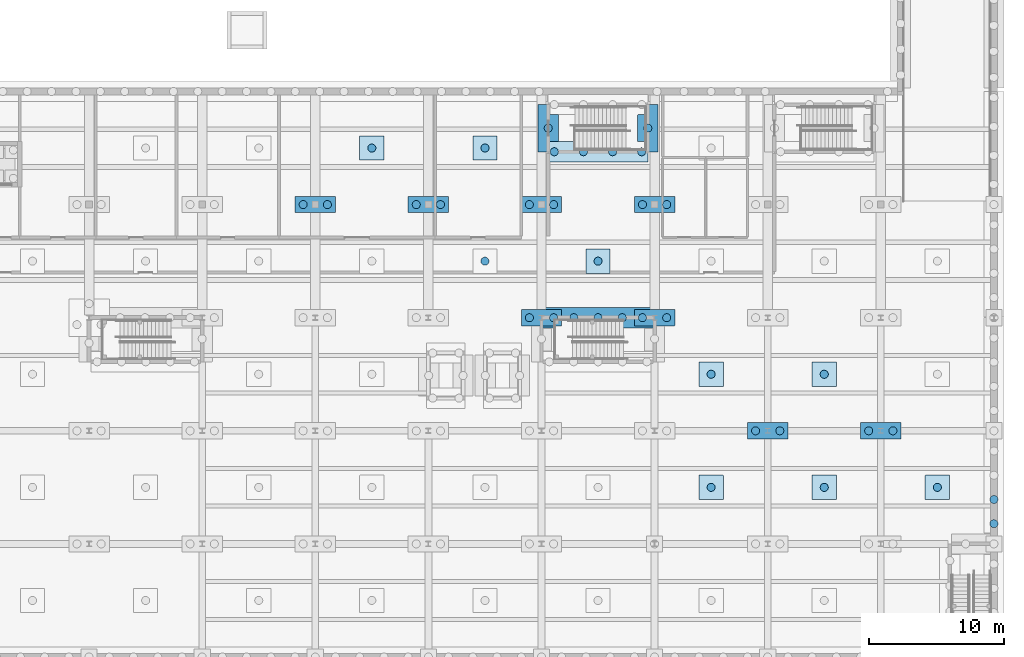
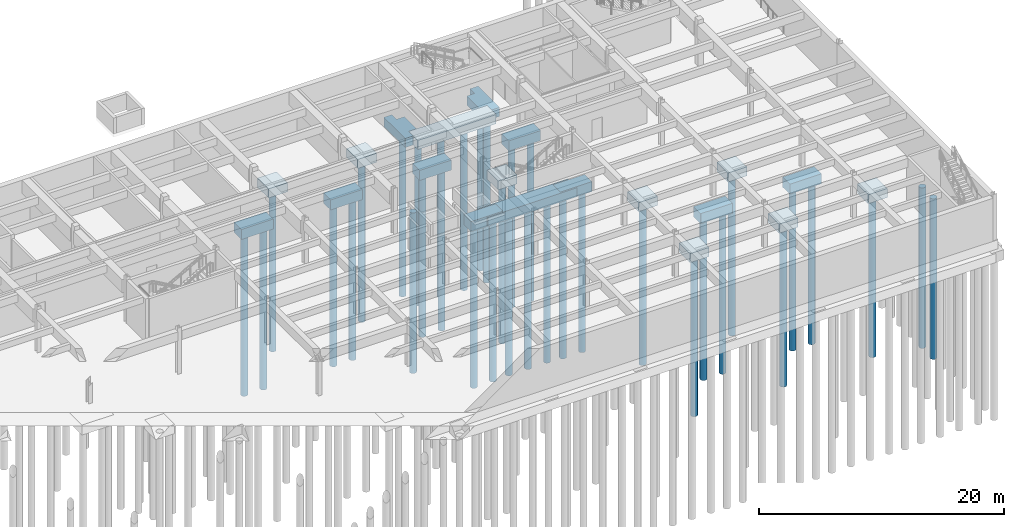
# One storey, part 8 of 33: 36 piles, 20 footings.
"""IFC4 building model written with IfcOpenShell, lengths in metres."""

from ifc_helpers import new_model, si_unit, direction, frame, origin, origin_2d, place, context, subcontext, project, spatial, polyline, circle, outline, extrude, material, layer, layer_set, material_profile, profile_set, type_object, element, save


model = new_model("IFC4")

# Units and contexts
model_context = context("Model", 3, precision=1e-05, world=origin(), true_north=direction((0.0, 1.0)))
body_context = subcontext(model_context, "Body", "Model", "MODEL_VIEW")
ifc_project = project(units=[si_unit("LENGTHUNIT", "METRE"), si_unit("AREAUNIT", "SQUARE_METRE"), si_unit("VOLUMEUNIT", "CUBIC_METRE"), si_unit("PLANEANGLEUNIT", "RADIAN"), si_unit("MASSUNIT", "GRAM", prefix="KILO")], contexts=[model_context])

# Site, building, storey
site_placement = place(None, origin())
site = spatial("IfcSite", under=ifc_project, at=site_placement, CompositionType="ELEMENT")
building_placement = place(site_placement, origin())
building = spatial("IfcBuilding", under=site, at=building_placement, Name="Ljudholm Concert House", CompositionType="ELEMENT")
storey_placement = place(building_placement, frame((0.0, 0.0, -4.60009765625)))
storey = spatial("IfcBuildingStorey", under=building, at=storey_placement, Name="B1", CompositionType="ELEMENT", Elevation=-4.60009765625)

# Piles
ifc_material_1 = material(Name="Concrete 5,000 psi", Category="concrete")
ifc_material_profile = material_profile(ifc_material_1, circle(Radius=0.300048828125, at=origin_2d()), Name="AUGER-CAST PILE D600")
ifc_profile_set = profile_set([ifc_material_profile], Name="Concrete 5,000 psi")
pile_type = type_object("IfcPileType", Name="AUGER-CAST PILE D600", PredefinedType="BORED", material=ifc_profile_set)
for number, where, z_axis, x_axis, name in (
    (1, (70.300048828125, 138.39990234375, -1.89990234375), (0.0, 0.0, -1.0), (1.0, 0.0, 0.0), "Pile D600"),
    (2, (72.10009765625, 138.39990234375, -1.89990234375), (0.0, 0.0, -1.0), (1.0, 0.0, 0.0), "Pile D600"),
    (3, (78.699951171875, 138.39990234375, -1.89990234375), (0.0, 0.0, -1.0), (1.0, 0.0, 0.0), "Pile D600"),
    (4, (80.5, 138.39990234375, -1.89990234375), (0.0, 0.0, -1.0), (1.0, 0.0, 0.0), "Pile D600"),
    (5, (87.10009765625, 130.0, -1.89990234375), (0.0, 0.0, -1.0), (1.0, 0.0, 0.0), "Pile D600"),
    (6, (88.89990234375, 130.0, -1.89990234375), (0.0, 0.0, -1.0), (1.0, 0.0, 0.0), "Pile D600"),
    (7, (87.10009765625, 138.39990234375, -1.89990234375), (0.0, 0.0, -1.0), (1.0, 0.0, 0.0), "Pile D600"),
    (8, (88.89990234375, 138.39990234375, -1.89990234375), (0.0, 0.0, -1.0), (1.0, 0.0, 0.0), "Pile D600"),
    (9, (95.5, 130.0, -1.89990234375), (0.0, 0.0, -1.0), (1.0, 0.0, 0.0), "Pile D600"),
    (10, (97.300048828125, 130.0, -1.89990234375), (0.0, 0.0, -1.0), (1.0, 0.0, 0.0), "Pile D600"),
    (11, (95.5, 138.39990234375, -1.89990234375), (0.0, 0.0, -1.0), (1.0, 0.0, 0.0), "Pile D600"),
    (12, (97.300048828125, 138.39990234375, -1.89990234375), (0.0, 0.0, -1.0), (1.0, 0.0, 0.0), "Pile D600"),
    (13, (103.89990234375, 121.60009765625, -1.89990234375), (0.0, 0.0, -1.0), (1.0, 0.0, 0.0), "Pile D600"),
    (14, (105.699951171875, 121.60009765625, -1.89990234375), (0.0, 0.0, -1.0), (1.0, 0.0, 0.0), "Pile D600"),
    (15, (112.300048828125, 121.60009765625, -1.89990234375), (0.0, 0.0, -1.0), (1.0, 0.0, 0.0), "Pile D600"),
    (16, (114.10009765625, 121.60009765625, -1.89990234375), (0.0, 0.0, -1.0), (1.0, 0.0, 0.0), "Pile D600"),
    (17, (90.39990234375, 130.0, -1.7998046875), (0.0, 0.0, -1.0), (1.0, 0.0, 0.0), "Pile D600"),
    (18, (92.199951171875, 130.0, -1.7998046875), (0.0, 0.0, -1.0), (1.0, 0.0, 0.0), "Pile D600"),
    (19, (94.0, 130.0, -1.7998046875), (0.0, 0.0, -1.0), (1.0, 0.0, 0.0), "Pile D600"),
    (20, (88.949951171875, 142.324951171875, -1.7998046875), (0.0, 0.0, -1.0), (1.0, 0.0, 0.0), "Pile D600"),
    (21, (91.114990234375, 142.324951171875, -1.7998046875), (0.0, 0.0, -1.0), (1.0, 0.0, 0.0), "Pile D600"),
    (22, (93.280029296875, 142.324951171875, -1.7998046875), (0.0, 0.0, -1.0), (1.0, 0.0, 0.0), "Pile D600"),
    (23, (95.445068359375, 142.324951171875, -1.7998046875), (0.0, 0.0, -1.0), (1.0, 0.0, 0.0), "Pile D600"),
    (24, (95.89501953125, 144.074951171875, -1.7998046875), (0.0, 0.0, -1.0), (1.0, 0.0, 0.0), "Pile D600"),
    (25, (88.5, 144.074951171875, -1.7998046875), (0.0, 0.0, -1.0), (1.0, 0.0, 0.0), "Pile D600"),
    (26, (121.60009765625, 114.699951171875, -1.7998046875), (0.0, 0.0, -1.0), (1.0, 0.0, 0.0), "Pile D600"),
    (27, (121.60009765625, 116.5, -1.7998046875), (0.0, 0.0, -1.0), (1.0, 0.0, 0.0), "Pile D600"),
    (28, (100.60009765625, 117.39990234375, -1.7998046875), (0.0, 0.0, -1.0), (1.0, 0.0, 0.0), "Pile D600"),
    (29, (109.0, 117.39990234375, -1.7998046875), (0.0, 0.0, -1.0), (1.0, 0.0, 0.0), "Pile D600"),
    (30, (117.39990234375, 117.39990234375, -1.7998046875), (0.0, 0.0, -1.0), (1.0, 0.0, 0.0), "Pile D600"),
    (31, (100.60009765625, 125.800048828125, -1.7998046875), (0.0, 0.0, -1.0), (1.0, 0.0, 0.0), "Pile D600"),
    (32, (109.0, 125.800048828125, -1.7998046875), (0.0, 0.0, -1.0), (1.0, 0.0, 0.0), "Pile D600"),
    (33, (83.800048828125, 134.199951171875, -1.7998046875), (0.0, 0.0, -1.0), (1.0, 0.0, 0.0), "Pile D600"),
    (34, (92.199951171875, 134.199951171875, -1.7998046875), (0.0, 0.0, -1.0), (1.0, 0.0, 0.0), "Pile D600"),
    (35, (75.39990234375, 142.60009765625, -1.7998046875), (0.0, 0.0, -1.0), (1.0, 0.0, 0.0), "Pile D600"),
    (36, (83.800048828125, 142.60009765625, -1.7998046875), (0.0, 0.0, -1.0), (1.0, 0.0, 0.0), "Pile D600"),
):
    element("IfcPile", number, at=place(storey_placement, frame(where, z_axis=z_axis, x_axis=x_axis)), inside=storey, type_object=pile_type, Name=name, PredefinedType="BORED", context=body_context, shape_type="SweptSolid", body=[
        extrude(circle(Radius=0.300048828125, at=origin_2d()), origin(), (0.0, 0.0, 1.0), 16.0),
    ])

# Footings
ifc_material_2 = material(Name="Concrete 5,000 psi", Category="concrete")
ifc_layer_1 = layer(ifc_material_2, 0.89990234375)
ifc_layer_set_1 = layer_set([ifc_layer_1], Name="Concrete 5,000 psi")
footing_type_1 = type_object("IfcFootingType", Name="RC PILE CAP 1800x1800x900", PredefinedType="PILE_CAP", material=ifc_layer_set_1)
footing_1_placement = place(storey_placement, frame((0.0, 0.0, -1.7998046875)))
element("IfcFooting", 37, at=footing_1_placement, inside=storey, type_object=footing_type_1, Name="Uplift pile cap", PredefinedType="PILE_CAP", context=body_context, shape_type="SweptSolid", body=[
    extrude(outline(polyline([(99.7099609375, 116.5), (101.489990234375, 116.5), (101.493896484375, 116.500732421875), (101.4970703125, 116.5029296875), (101.499267578125, 116.506103515625), (101.5, 116.510009765625), (101.5, 118.2900390625), (101.499267578125, 118.2939453125), (101.4970703125, 118.297119140625), (101.493896484375, 118.29931640625), (101.489990234375, 118.300048828125), (99.7099609375, 118.300048828125), (99.7060546875, 118.29931640625), (99.702880859375, 118.297119140625), (99.70068359375, 118.2939453125), (99.699951171875, 118.2900390625), (99.699951171875, 116.510009765625), (99.70068359375, 116.506103515625), (99.702880859375, 116.5029296875), (99.7060546875, 116.500732421875), (99.7099609375, 116.5)])), origin(), (0.0, 0.0, 1.0), 0.89990234375),
])
footing_2_placement = place(storey_placement, frame((0.0, 0.0, -1.7998046875)))
element("IfcFooting", 38, at=footing_2_placement, inside=storey, type_object=footing_type_1, Name="Uplift pile cap", PredefinedType="PILE_CAP", context=body_context, shape_type="SweptSolid", body=[
    extrude(outline(polyline([(108.110107421875, 116.5), (109.889892578125, 116.5), (109.893798828125, 116.500732421875), (109.89697265625, 116.5029296875), (109.899169921875, 116.506103515625), (109.89990234375, 116.510009765625), (109.89990234375, 118.2900390625), (109.899169921875, 118.2939453125), (109.89697265625, 118.297119140625), (109.893798828125, 118.29931640625), (109.889892578125, 118.300048828125), (108.110107421875, 118.300048828125), (108.106201171875, 118.29931640625), (108.10302734375, 118.297119140625), (108.100830078125, 118.2939453125), (108.10009765625, 118.2900390625), (108.10009765625, 116.510009765625), (108.100830078125, 116.506103515625), (108.10302734375, 116.5029296875), (108.106201171875, 116.500732421875), (108.110107421875, 116.5)])), origin(), (0.0, 0.0, 1.0), 0.89990234375),
])
footing_3_placement = place(storey_placement, frame((0.0, 0.0, -1.7998046875)))
element("IfcFooting", 39, at=footing_3_placement, inside=storey, type_object=footing_type_1, Name="Uplift pile cap", PredefinedType="PILE_CAP", context=body_context, shape_type="SweptSolid", body=[
    extrude(outline(polyline([(116.510009765625, 116.5), (118.2900390625, 116.5), (118.2939453125, 116.500732421875), (118.297119140625, 116.5029296875), (118.29931640625, 116.506103515625), (118.300048828125, 116.510009765625), (118.300048828125, 118.2900390625), (118.29931640625, 118.2939453125), (118.297119140625, 118.297119140625), (118.2939453125, 118.29931640625), (118.2900390625, 118.300048828125), (116.510009765625, 118.300048828125), (116.506103515625, 118.29931640625), (116.5029296875, 118.297119140625), (116.500732421875, 118.2939453125), (116.5, 118.2900390625), (116.5, 116.510009765625), (116.500732421875, 116.506103515625), (116.5029296875, 116.5029296875), (116.506103515625, 116.500732421875), (116.510009765625, 116.5)])), origin(), (0.0, 0.0, 1.0), 0.89990234375),
])
footing_4_placement = place(storey_placement, frame((0.0, 0.0, -1.7998046875)))
element("IfcFooting", 40, at=footing_4_placement, inside=storey, type_object=footing_type_1, Name="Uplift pile cap", PredefinedType="PILE_CAP", context=body_context, shape_type="SweptSolid", body=[
    extrude(outline(polyline([(99.699951171875, 126.68994140625), (99.699951171875, 124.909912109375), (99.70068359375, 124.90625), (99.702880859375, 124.90283203125), (99.7060546875, 124.90087890625), (99.7099609375, 124.89990234375), (101.489990234375, 124.89990234375), (101.493896484375, 124.90087890625), (101.4970703125, 124.90283203125), (101.499267578125, 124.90625), (101.5, 124.909912109375), (101.5, 126.68994140625), (101.499267578125, 126.69384765625), (101.4970703125, 126.697021484375), (101.493896484375, 126.69921875), (101.489990234375, 126.699951171875), (99.7099609375, 126.699951171875), (99.7060546875, 126.69921875), (99.702880859375, 126.697021484375), (99.70068359375, 126.69384765625), (99.699951171875, 126.68994140625)])), origin(), (0.0, 0.0, 1.0), 0.89990234375),
])
footing_5_placement = place(storey_placement, frame((0.0, 0.0, -1.7998046875)))
element("IfcFooting", 41, at=footing_5_placement, inside=storey, type_object=footing_type_1, Name="Uplift pile cap", PredefinedType="PILE_CAP", context=body_context, shape_type="SweptSolid", body=[
    extrude(outline(polyline([(108.10009765625, 126.68994140625), (108.10009765625, 124.909912109375), (108.100830078125, 124.90625), (108.10302734375, 124.90283203125), (108.106201171875, 124.90087890625), (108.110107421875, 124.89990234375), (109.889892578125, 124.89990234375), (109.893798828125, 124.90087890625), (109.89697265625, 124.90283203125), (109.899169921875, 124.90625), (109.89990234375, 124.909912109375), (109.89990234375, 126.68994140625), (109.899169921875, 126.69384765625), (109.89697265625, 126.697021484375), (109.893798828125, 126.69921875), (109.889892578125, 126.699951171875), (108.110107421875, 126.699951171875), (108.106201171875, 126.69921875), (108.10302734375, 126.697021484375), (108.100830078125, 126.69384765625), (108.10009765625, 126.68994140625)])), origin(), (0.0, 0.0, 1.0), 0.89990234375),
])
footing_6_placement = place(storey_placement, frame((0.0, 0.0, -1.7998046875)))
element("IfcFooting", 42, at=footing_6_placement, inside=storey, type_object=footing_type_1, Name="Uplift pile cap", PredefinedType="PILE_CAP", context=body_context, shape_type="SweptSolid", body=[
    extrude(outline(polyline([(91.31005859375, 133.300048828125), (93.090087890625, 133.300048828125), (93.09375, 133.30078125), (93.09716796875, 133.302978515625), (93.09912109375, 133.30615234375), (93.10009765625, 133.31005859375), (93.10009765625, 135.090087890625), (93.09912109375, 135.09375), (93.09716796875, 135.09716796875), (93.09375, 135.09912109375), (93.090087890625, 135.10009765625), (91.31005859375, 135.10009765625), (91.30615234375, 135.09912109375), (91.302978515625, 135.09716796875), (91.30078125, 135.09375), (91.300048828125, 135.090087890625), (91.300048828125, 133.31005859375), (91.30078125, 133.30615234375), (91.302978515625, 133.302978515625), (91.30615234375, 133.30078125), (91.31005859375, 133.300048828125)])), origin(), (0.0, 0.0, 1.0), 0.89990234375),
])
footing_7_placement = place(storey_placement, frame((0.0, 0.0, -1.7998046875)))
element("IfcFooting", 43, at=footing_7_placement, inside=storey, type_object=footing_type_1, Name="Uplift pile cap", PredefinedType="PILE_CAP", context=body_context, shape_type="SweptSolid", body=[
    extrude(outline(polyline([(74.5, 143.489990234375), (74.5, 141.7099609375), (74.500732421875, 141.7060546875), (74.5029296875, 141.702880859375), (74.506103515625, 141.70068359375), (74.510009765625, 141.699951171875), (76.2900390625, 141.699951171875), (76.2939453125, 141.70068359375), (76.297119140625, 141.702880859375), (76.29931640625, 141.7060546875), (76.300048828125, 141.7099609375), (76.300048828125, 143.489990234375), (76.29931640625, 143.493896484375), (76.297119140625, 143.4970703125), (76.2939453125, 143.499267578125), (76.2900390625, 143.5), (74.510009765625, 143.5), (74.506103515625, 143.499267578125), (74.5029296875, 143.4970703125), (74.500732421875, 143.493896484375), (74.5, 143.489990234375)])), origin(), (0.0, 0.0, 1.0), 0.89990234375),
])
footing_8_placement = place(storey_placement, frame((0.0, 0.0, -1.7998046875)))
element("IfcFooting", 44, at=footing_8_placement, inside=storey, type_object=footing_type_1, Name="Uplift pile cap", PredefinedType="PILE_CAP", context=body_context, shape_type="SweptSolid", body=[
    extrude(outline(polyline([(82.89990234375, 143.489990234375), (82.89990234375, 141.7099609375), (82.90087890625, 141.7060546875), (82.90283203125, 141.702880859375), (82.90625, 141.70068359375), (82.909912109375, 141.699951171875), (84.68994140625, 141.699951171875), (84.69384765625, 141.70068359375), (84.697021484375, 141.702880859375), (84.69921875, 141.7060546875), (84.699951171875, 141.7099609375), (84.699951171875, 143.489990234375), (84.69921875, 143.493896484375), (84.697021484375, 143.4970703125), (84.69384765625, 143.499267578125), (84.68994140625, 143.5), (82.909912109375, 143.5), (82.90625, 143.499267578125), (82.90283203125, 143.4970703125), (82.90087890625, 143.493896484375), (82.89990234375, 143.489990234375)])), origin(), (0.0, 0.0, 1.0), 0.89990234375),
])
ifc_material_3 = material(Name="Concrete 5,000 psi", Category="concrete")
ifc_layer_2 = layer(ifc_material_3, 1.0)
ifc_layer_set_2 = layer_set([ifc_layer_2], Name="Concrete 5,000 psi")
footing_type_2 = type_object("IfcFootingType", Name="RC PILE CAP 3000x1200x1000", PredefinedType="PILE_CAP", material=ifc_layer_set_2)
footing_9_placement = place(storey_placement, frame((0.0, 0.0, -1.89990234375)))
element("IfcFooting", 45, at=footing_9_placement, inside=storey, type_object=footing_type_2, Name="Pile cap", PredefinedType="PILE_CAP", context=body_context, shape_type="SweptSolid", body=[
    extrude(outline(polyline([(69.699951171875, 138.989990234375), (69.699951171875, 137.81005859375), (69.70166015625, 137.804443359375), (69.7060546875, 137.80078125), (69.7099609375, 137.800048828125), (72.68994140625, 137.800048828125), (72.695556640625, 137.8017578125), (72.69921875, 137.80615234375), (72.699951171875, 137.81005859375), (72.699951171875, 138.989990234375), (72.6982421875, 138.99560546875), (72.69384765625, 138.999267578125), (72.68994140625, 139.0), (69.7099609375, 139.0), (69.7060546875, 138.999267578125), (69.702880859375, 138.9970703125), (69.70068359375, 138.993896484375), (69.699951171875, 138.989990234375)])), origin(), (0.0, 0.0, 1.0), 1.0),
])
footing_10_placement = place(storey_placement, frame((0.0, 0.0, -1.89990234375)))
element("IfcFooting", 46, at=footing_10_placement, inside=storey, type_object=footing_type_2, Name="Pile cap", PredefinedType="PILE_CAP", context=body_context, shape_type="SweptSolid", body=[
    extrude(outline(polyline([(78.10009765625, 138.989990234375), (78.10009765625, 137.81005859375), (78.101806640625, 137.804443359375), (78.106201171875, 137.80078125), (78.110107421875, 137.800048828125), (81.090087890625, 137.800048828125), (81.095458984375, 137.8017578125), (81.09912109375, 137.80615234375), (81.10009765625, 137.81005859375), (81.10009765625, 138.989990234375), (81.098388671875, 138.99560546875), (81.09375, 138.999267578125), (81.090087890625, 139.0), (78.110107421875, 139.0), (78.106201171875, 138.999267578125), (78.10302734375, 138.9970703125), (78.100830078125, 138.993896484375), (78.10009765625, 138.989990234375)])), origin(), (0.0, 0.0, 1.0), 1.0),
])
footing_11_placement = place(storey_placement, frame((0.0, 0.0, -1.89990234375)))
element("IfcFooting", 47, at=footing_11_placement, inside=storey, type_object=footing_type_2, Name="Pile cap", PredefinedType="PILE_CAP", context=body_context, shape_type="SweptSolid", body=[
    extrude(outline(polyline([(86.510009765625, 129.39990234375), (89.489990234375, 129.39990234375), (89.493896484375, 129.40087890625), (89.498291015625, 129.404541015625), (89.5, 129.409912109375), (89.5, 130.590087890625), (89.499267578125, 130.59375), (89.49560546875, 130.598388671875), (89.489990234375, 130.60009765625), (86.510009765625, 130.60009765625), (86.506103515625, 130.59912109375), (86.501708984375, 130.595458984375), (86.5, 130.590087890625), (86.5, 129.409912109375), (86.500732421875, 129.40625), (86.5029296875, 129.40283203125), (86.506103515625, 129.40087890625), (86.510009765625, 129.39990234375)])), origin(), (0.0, 0.0, 1.0), 1.0),
])
footing_12_placement = place(storey_placement, frame((0.0, 0.0, -1.89990234375)))
element("IfcFooting", 48, at=footing_12_placement, inside=storey, type_object=footing_type_2, Name="Pile cap", PredefinedType="PILE_CAP", context=body_context, shape_type="SweptSolid", body=[
    extrude(outline(polyline([(86.5, 138.989990234375), (86.5, 137.81005859375), (86.501708984375, 137.804443359375), (86.506103515625, 137.80078125), (86.510009765625, 137.800048828125), (89.489990234375, 137.800048828125), (89.49560546875, 137.8017578125), (89.499267578125, 137.80615234375), (89.5, 137.81005859375), (89.5, 138.989990234375), (89.498291015625, 138.99560546875), (89.493896484375, 138.999267578125), (89.489990234375, 139.0), (86.510009765625, 139.0), (86.506103515625, 138.999267578125), (86.5029296875, 138.9970703125), (86.500732421875, 138.993896484375), (86.5, 138.989990234375)])), origin(), (0.0, 0.0, 1.0), 1.0),
])
footing_13_placement = place(storey_placement, frame((0.0, 0.0, -1.89990234375)))
element("IfcFooting", 49, at=footing_13_placement, inside=storey, type_object=footing_type_2, Name="Pile cap", PredefinedType="PILE_CAP", context=body_context, shape_type="SweptSolid", body=[
    extrude(outline(polyline([(94.909912109375, 129.39990234375), (97.889892578125, 129.39990234375), (97.893798828125, 129.40087890625), (97.898193359375, 129.404541015625), (97.89990234375, 129.409912109375), (97.89990234375, 130.590087890625), (97.899169921875, 130.59375), (97.8955078125, 130.598388671875), (97.889892578125, 130.60009765625), (94.909912109375, 130.60009765625), (94.90625, 130.59912109375), (94.901611328125, 130.595458984375), (94.89990234375, 130.590087890625), (94.89990234375, 129.409912109375), (94.90087890625, 129.40625), (94.90283203125, 129.40283203125), (94.90625, 129.40087890625), (94.909912109375, 129.39990234375)])), origin(), (0.0, 0.0, 1.0), 1.0),
])
footing_14_placement = place(storey_placement, frame((0.0, 0.0, -1.89990234375)))
element("IfcFooting", 50, at=footing_14_placement, inside=storey, type_object=footing_type_2, Name="Pile cap", PredefinedType="PILE_CAP", context=body_context, shape_type="SweptSolid", body=[
    extrude(outline(polyline([(94.89990234375, 138.989990234375), (94.89990234375, 137.81005859375), (94.901611328125, 137.804443359375), (94.90625, 137.80078125), (94.909912109375, 137.800048828125), (97.889892578125, 137.800048828125), (97.8955078125, 137.8017578125), (97.899169921875, 137.80615234375), (97.89990234375, 137.81005859375), (97.89990234375, 138.989990234375), (97.898193359375, 138.99560546875), (97.893798828125, 138.999267578125), (97.889892578125, 139.0), (94.909912109375, 139.0), (94.90625, 138.999267578125), (94.90283203125, 138.9970703125), (94.90087890625, 138.993896484375), (94.89990234375, 138.989990234375)])), origin(), (0.0, 0.0, 1.0), 1.0),
])
footing_15_placement = place(storey_placement, frame((0.0, 0.0, -1.89990234375)))
element("IfcFooting", 51, at=footing_15_placement, inside=storey, type_object=footing_type_2, Name="Pile cap", PredefinedType="PILE_CAP", context=body_context, shape_type="SweptSolid", body=[
    extrude(outline(polyline([(103.300048828125, 122.18994140625), (103.300048828125, 121.010009765625), (103.3017578125, 121.00439453125), (103.30615234375, 121.000732421875), (103.31005859375, 121.0), (106.2900390625, 121.0), (106.295654296875, 121.001708984375), (106.29931640625, 121.006103515625), (106.300048828125, 121.010009765625), (106.300048828125, 122.18994140625), (106.29833984375, 122.195556640625), (106.2939453125, 122.19921875), (106.2900390625, 122.199951171875), (103.31005859375, 122.199951171875), (103.30615234375, 122.19921875), (103.302978515625, 122.197021484375), (103.30078125, 122.19384765625), (103.300048828125, 122.18994140625)])), origin(), (0.0, 0.0, 1.0), 1.0),
])
footing_16_placement = place(storey_placement, frame((0.0, 0.0, -1.89990234375)))
element("IfcFooting", 52, at=footing_16_placement, inside=storey, type_object=footing_type_2, Name="Pile cap", PredefinedType="PILE_CAP", context=body_context, shape_type="SweptSolid", body=[
    extrude(outline(polyline([(111.699951171875, 122.18994140625), (111.699951171875, 121.010009765625), (111.70166015625, 121.00439453125), (111.7060546875, 121.000732421875), (111.7099609375, 121.0), (114.68994140625, 121.0), (114.695556640625, 121.001708984375), (114.69921875, 121.006103515625), (114.699951171875, 121.010009765625), (114.699951171875, 122.18994140625), (114.6982421875, 122.195556640625), (114.69384765625, 122.19921875), (114.68994140625, 122.199951171875), (111.7099609375, 122.199951171875), (111.7060546875, 122.19921875), (111.702880859375, 122.197021484375), (111.70068359375, 122.19384765625), (111.699951171875, 122.18994140625)])), origin(), (0.0, 0.0, 1.0), 1.0),
])
ifc_material_4 = material(Name="Concrete 5,000 psi", Category="concrete")
ifc_layer_3 = layer(ifc_material_4, 0.89990234375)
ifc_layer_set_3 = layer_set([ifc_layer_3], Name="Concrete 5,000 psi")
footing_type_3 = type_object("IfcFootingType", Name="RC STRIP FOOTING 1500x900", PredefinedType="STRIP_FOOTING", material=ifc_layer_set_3)
footing_17_placement = place(storey_placement, frame((0.0, 0.0, -1.7998046875)))
element("IfcFooting", 53, at=footing_17_placement, inside=storey, type_object=footing_type_3, Name="Strip footing", PredefinedType="STRIP_FOOTING", context=body_context, shape_type="SweptSolid", body=[
    extrude(outline(polyline([(88.018310546875, 129.25), (96.3837890625, 129.250244140625), (96.386474609375, 129.251220703125), (96.3896484375, 129.253662109375), (96.391845703125, 129.259033203125), (96.391845703125, 129.389892578125), (96.39111328125, 129.393798828125), (96.3896484375, 129.396240234375), (96.386474609375, 129.39892578125), (96.3828125, 129.39990234375), (94.91015625, 129.39990234375), (94.906982421875, 129.400390625), (94.903564453125, 129.40234375), (94.90087890625, 129.40625), (94.89990234375, 129.41015625), (94.89990234375, 130.58984375), (94.90087890625, 130.59375), (94.90283203125, 130.59716796875), (94.90625, 130.59912109375), (94.91015625, 130.60009765625), (96.3828125, 130.60009765625), (96.386474609375, 130.60107421875), (96.388916015625, 130.60302734375), (96.39111328125, 130.606201171875), (96.391845703125, 130.609130859375), (96.3916015625, 130.741943359375), (96.390625, 130.74462890625), (96.38818359375, 130.747802734375), (96.384765625, 130.74951171875), (96.3818359375, 130.75), (88.016357421875, 130.749755859375), (88.013427734375, 130.748779296875), (88.010498046875, 130.746337890625), (88.00830078125, 130.740966796875), (88.00830078125, 130.610107421875), (88.009033203125, 130.606201171875), (88.010498046875, 130.603759765625), (88.013427734375, 130.60107421875), (88.01708984375, 130.60009765625), (89.48974609375, 130.60009765625), (89.493896484375, 130.59912109375), (89.4970703125, 130.59716796875), (89.499267578125, 130.59375), (89.5, 130.58984375), (89.5, 129.41015625), (89.499267578125, 129.40625), (89.496337890625, 129.40234375), (89.492919921875, 129.400390625), (89.48974609375, 129.39990234375), (88.01708984375, 129.39990234375), (88.013427734375, 129.39892578125), (88.01123046875, 129.39697265625), (88.009033203125, 129.393798828125), (88.00830078125, 129.390869140625), (88.00830078125, 129.260009765625), (88.009033203125, 129.256103515625), (88.01123046875, 129.2529296875), (88.014404296875, 129.250732421875), (88.018310546875, 129.25)])), origin(), (0.0, 0.0, 1.0), 0.89990234375),
])
footing_18_placement = place(storey_placement, frame((0.0, 0.0, -1.7998046875)))
element("IfcFooting", 54, at=footing_18_placement, inside=storey, type_object=footing_type_3, Name="Strip footing", PredefinedType="STRIP_FOOTING", context=body_context, shape_type="SweptSolid", body=[
    extrude(outline(polyline([(88.510009765625, 141.574951171875), (95.886962890625, 141.5751953125), (95.8896484375, 141.576171875), (95.892822265625, 141.57861328125), (95.894287109375, 141.5810546875), (95.89501953125, 141.5849609375), (95.894775390625, 143.06689453125), (95.893798828125, 143.06982421875), (95.891357421875, 143.07275390625), (95.887939453125, 143.074462890625), (95.885009765625, 143.074951171875), (88.508056640625, 143.07470703125), (88.50537109375, 143.07373046875), (88.502197265625, 143.0712890625), (88.500732421875, 143.06884765625), (88.5, 143.06494140625), (88.5, 141.5849609375), (88.500732421875, 141.5810546875), (88.5029296875, 141.577880859375), (88.506103515625, 141.57568359375), (88.510009765625, 141.574951171875)])), origin(), (0.0, 0.0, 1.0), 0.89990234375),
])
footing_19_placement = place(storey_placement, frame((0.0, 0.0, -1.7998046875)))
element("IfcFooting", 55, at=footing_19_placement, inside=storey, type_object=footing_type_3, Name="Strip footing", PredefinedType="STRIP_FOOTING", context=body_context, shape_type="SweptSolid", body=[
    extrude(outline(polyline([(95.155029296875, 143.074951171875), (95.884765625, 143.074951171875), (95.888916015625, 143.07421875), (95.89208984375, 143.072021484375), (95.894287109375, 143.06884765625), (95.89501953125, 143.064697265625), (95.89501953125, 142.3349609375), (95.896240234375, 142.330322265625), (95.900390625, 142.326171875), (95.905029296875, 142.324951171875), (96.635009765625, 142.324951171875), (96.6396484375, 142.326171875), (96.643798828125, 142.330322265625), (96.64501953125, 142.3349609375), (96.64501953125, 145.81494140625), (96.643798828125, 145.81982421875), (96.6396484375, 145.82373046875), (96.635009765625, 145.824951171875), (95.905029296875, 145.824951171875), (95.900390625, 145.82373046875), (95.896240234375, 145.81982421875), (95.89501953125, 145.81494140625), (95.89501953125, 145.085205078125), (95.894287109375, 145.081298828125), (95.89208984375, 145.077880859375), (95.888916015625, 145.07568359375), (95.884765625, 145.074951171875), (95.155029296875, 145.074951171875), (95.150390625, 145.07373046875), (95.146240234375, 145.06982421875), (95.14501953125, 145.06494140625), (95.14501953125, 143.0849609375), (95.145751953125, 143.0810546875), (95.14794921875, 143.077880859375), (95.151123046875, 143.07568359375), (95.155029296875, 143.074951171875)])), origin(), (0.0, 0.0, 1.0), 0.89990234375),
])
footing_20_placement = place(storey_placement, frame((0.0, 0.0, -1.7998046875)))
element("IfcFooting", 56, at=footing_20_placement, inside=storey, type_object=footing_type_3, Name="Strip footing", PredefinedType="STRIP_FOOTING", context=body_context, shape_type="SweptSolid", body=[
    extrude(outline(polyline([(87.760009765625, 142.324951171875), (88.489990234375, 142.324951171875), (88.49462890625, 142.326171875), (88.498779296875, 142.330322265625), (88.5, 142.3349609375), (88.5, 143.064697265625), (88.500732421875, 143.06884765625), (88.5029296875, 143.072021484375), (88.506103515625, 143.07421875), (88.51025390625, 143.074951171875), (89.239990234375, 143.074951171875), (89.242919921875, 143.075439453125), (89.246337890625, 143.0771484375), (89.248779296875, 143.080322265625), (89.249755859375, 143.0830078125), (89.24951171875, 145.06787109375), (89.246337890625, 145.07275390625), (89.242919921875, 145.074462890625), (89.239990234375, 145.074951171875), (88.51025390625, 145.074951171875), (88.506103515625, 145.07568359375), (88.5029296875, 145.077880859375), (88.500732421875, 145.081298828125), (88.5, 145.085205078125), (88.5, 145.81494140625), (88.499267578125, 145.81884765625), (88.497802734375, 145.8212890625), (88.49462890625, 145.82373046875), (88.491943359375, 145.82470703125), (87.760009765625, 145.824951171875), (87.757080078125, 145.824462890625), (87.753662109375, 145.82275390625), (87.751220703125, 145.81982421875), (87.750244140625, 145.81689453125), (87.75, 142.3349609375), (87.750732421875, 142.3310546875), (87.7529296875, 142.327880859375), (87.756103515625, 142.32568359375), (87.760009765625, 142.324951171875)])), origin(), (0.0, 0.0, 1.0), 0.89990234375),
])

save(model, "model.ifc")
